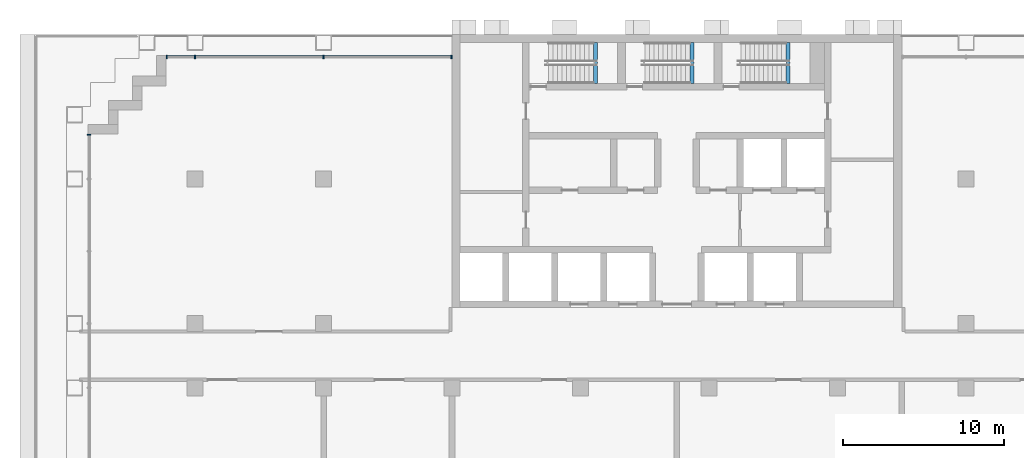
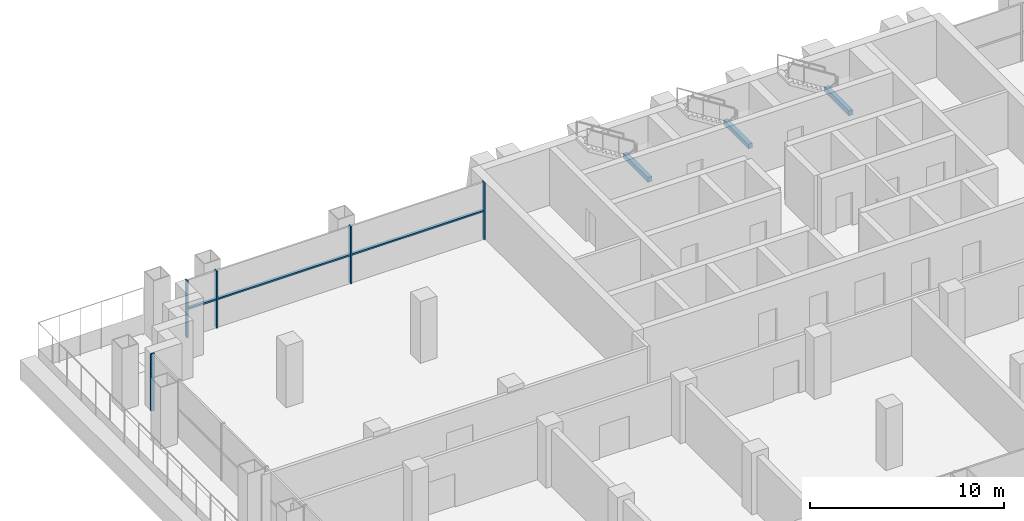
# One storey, part 6 of 16: 8 members, 3 beams, 2 elements without a shape of their own.
"""IFC4 building model written with IfcOpenShell, lengths in metres."""

from ifc_helpers import new_model, si_unit, direction, frame, origin, origin_2d, place, context, subcontext, project, spatial, rectangle, extrude, material, material_profile, profile_set, type_object, element, aggregate, save


model = new_model("IFC4")

# Units and contexts
model_context = context("Model", 3, precision=1e-05, world=origin(), true_north=direction((0.0, 1.0)))
body_context = subcontext(model_context, "Body", "Model", "MODEL_VIEW")
ifc_project = project(units=[si_unit("LENGTHUNIT", "METRE"), si_unit("AREAUNIT", "SQUARE_METRE"), si_unit("VOLUMEUNIT", "CUBIC_METRE"), si_unit("PLANEANGLEUNIT", "RADIAN"), si_unit("MASSUNIT", "GRAM", prefix="KILO")], contexts=[model_context])

# Site, building, storey
site_placement = place(None, origin())
site = spatial("IfcSite", under=ifc_project, at=site_placement, CompositionType="ELEMENT")
building_placement = place(site_placement, origin())
building = spatial("IfcBuilding", under=site, at=building_placement, Name="Vidyagriha Tower", CompositionType="ELEMENT")
storey_placement = place(building_placement, frame((0.0, 0.0, 26.0)))
storey = spatial("IfcBuildingStorey", under=building, at=storey_placement, Name="L06", CompositionType="ELEMENT", Elevation=26.0)

# Curtain wall, members
ifc_material_1 = material(Name="Aluminium and glass curtain wall", Category="aluminium")
curtain_wall_type = type_object("IfcCurtainWallType", Name="Plant louvre wall", PredefinedType="USERDEFINED", material=ifc_material_1)
curtain_wall_1_placement = place(storey_placement, origin())
curtain_wall_1 = element("IfcCurtainWall", 1, at=curtain_wall_1_placement, inside=storey, type_object=curtain_wall_type, Name="CW7 plant louvre wall", ObjectType="STICK GLAZING", PredefinedType="USERDEFINED")
ifc_material_2 = material(Name="Aluminium black anodised", Category="aluminium")
ifc_material_profile_1 = material_profile(ifc_material_2, rectangle(XDim=0.219970703125, YDim=0.080078125, at=origin_2d()), Name="Mullion 80x220 black aluminium")
ifc_profile_set_1 = profile_set([ifc_material_profile_1], Name="Aluminium black anodised")
member_type_1 = type_object("IfcMemberType", Name="Mullion 80x220 black aluminium", PredefinedType="MULLION", material=ifc_profile_set_1)
member_1_placement = place(storey_placement, frame((-14.0400390625, 18.60009765625, 0.0), z_axis=(0.0, 0.0, 1.0), x_axis=(0.0, -1.0, 0.0)))
member_1 = element("IfcMember", 2, at=member_1_placement, type_object=member_type_1, Name="CW7 mullion 1", PredefinedType="MULLION", context=body_context, shape_type="SweptSolid", body=[
    extrude(rectangle(XDim=0.219970703125, YDim=0.080078125, at=origin_2d()), origin(), (0.0, 0.0, 1.0), 3.60009765625),
])
member_2_placement = place(storey_placement, frame((-22.0, 18.60009765625, 0.0), z_axis=(0.0, 0.0, 1.0), x_axis=(0.0, -1.0, 0.0)))
member_2 = element("IfcMember", 3, at=member_2_placement, type_object=member_type_1, Name="CW7 mullion 2", PredefinedType="MULLION", context=body_context, shape_type="SweptSolid", body=[
    extrude(rectangle(XDim=0.219970703125, YDim=0.080078125, at=origin_2d()), origin(), (0.0, 0.0, 1.0), 3.60009765625),
])
member_3_placement = place(storey_placement, frame((-30.0, 18.60009765625, 0.0), z_axis=(0.0, 0.0, 1.0), x_axis=(0.0, -1.0, 0.0)))
member_3 = element("IfcMember", 4, at=member_3_placement, type_object=member_type_1, Name="CW7 mullion 3", PredefinedType="MULLION", context=body_context, shape_type="SweptSolid", body=[
    extrude(rectangle(XDim=0.219970703125, YDim=0.080078125, at=origin_2d()), origin(), (0.0, 0.0, 1.0), 3.60009765625),
])
member_4_placement = place(storey_placement, frame((-31.760009765625, 18.60009765625, 0.0), z_axis=(0.0, 0.0, 1.0), x_axis=(0.0, -1.0, 0.0)))
member_4 = element("IfcMember", 5, at=member_4_placement, type_object=member_type_1, Name="CW7 mullion 4", PredefinedType="MULLION", context=body_context, shape_type="SweptSolid", body=[
    extrude(rectangle(XDim=0.219970703125, YDim=0.080078125, at=origin_2d()), origin(), (0.0, 0.0, 1.0), 3.60009765625),
])

# Curtain wall, member
curtain_wall_2_placement = place(storey_placement, origin())
curtain_wall_2 = element("IfcCurtainWall", 6, at=curtain_wall_2_placement, inside=storey, type_object=curtain_wall_type, Name="CW7 plant louvre wall", ObjectType="STICK GLAZING", PredefinedType="USERDEFINED")
member_5_placement = place(storey_placement, frame((-36.60009765625, 13.760009765625, 0.0)))
member_5 = element("IfcMember", 7, at=member_5_placement, type_object=member_type_1, Name="CW7 mullion 1", PredefinedType="MULLION", context=body_context, shape_type="SweptSolid", body=[
    extrude(rectangle(XDim=0.219970703125, YDim=0.080078125, at=origin_2d()), origin(), (0.0, 0.0, 1.0), 3.60009765625),
])
aggregate(curtain_wall_2, [member_5])

# Beams
ifc_material_3 = material(Name="Concrete C40/50", Category="concrete")
ifc_material_profile_2 = material_profile(ifc_material_3, rectangle(XDim=0.25, YDim=0.300048828125, at=origin_2d()), Name="Stair landing bearing beam 250x300")
ifc_profile_set_2 = profile_set([ifc_material_profile_2], Name="Concrete C40/50")
beam_type = type_object("IfcBeamType", Name="Stair landing bearing beam 250x300", PredefinedType="BEAM", material=ifc_profile_set_2)
for number, where, z_axis, x_axis, name in (
    (8, (-5.074951171875, 16.949951171875, 1.60009765625), (0.0, 1.0, 0.0), (-1.0, 0.0, 0.0), "ST1 landing bearing beam L06"),
    (9, (0.925048828125, 16.949951171875, 1.60009765625), (0.0, 1.0, 0.0), (-1.0, 0.0, 0.0), "ST2 landing bearing beam L06"),
    (10, (6.925048828125, 16.949951171875, 1.60009765625), (0.0, 1.0, 0.0), (-1.0, 0.0, 0.0), "ST3 landing bearing beam L06"),
):
    element("IfcBeam", number, at=place(storey_placement, frame(where, z_axis=z_axis, x_axis=x_axis)), inside=storey, type_object=beam_type, Name=name, PredefinedType="BEAM", context=body_context, shape_type="SweptSolid", body=[
        extrude(rectangle(XDim=0.25, YDim=0.300048828125, at=origin_2d()), origin(), (0.0, 0.0, 1.0), 2.550048828125),
    ])

# Member
ifc_material_4 = material(Name="Aluminium black anodised", Category="aluminium")
ifc_material_profile_3 = material_profile(ifc_material_4, rectangle(XDim=0.159912109375, YDim=0.10009765625, at=origin_2d()), Name="Transom 100x160 black aluminium")
ifc_profile_set_3 = profile_set([ifc_material_profile_3], Name="Aluminium black anodised")
member_type_2 = type_object("IfcMemberType", Name="Transom 100x160 black aluminium", PredefinedType="USERDEFINED", material=ifc_profile_set_3)
member_6_placement = place(storey_placement, frame((-14.080078125, 18.60009765625, 1.800048828125), z_axis=(-1.0, 0.0, 0.0), x_axis=(0.0, -1.0, 0.0)))
member_6 = element("IfcMember", 11, at=member_6_placement, type_object=member_type_2, Name="CW7 transom 1.1", ObjectType="TRANSOM", PredefinedType="USERDEFINED", context=body_context, shape_type="SweptSolid", body=[
    extrude(rectangle(XDim=0.159912109375, YDim=0.10009765625, at=origin_2d()), origin(), (0.0, 0.0, 1.0), 7.8798828125),
])

member_7_placement = place(storey_placement, frame((-22.0400390625, 18.60009765625, 1.800048828125), z_axis=(-1.0, 0.0, 0.0), x_axis=(0.0, -1.0, 0.0)))
member_7 = element("IfcMember", 12, at=member_7_placement, type_object=member_type_2, Name="CW7 transom 2.1", ObjectType="TRANSOM", PredefinedType="USERDEFINED", context=body_context, shape_type="SweptSolid", body=[
    extrude(rectangle(XDim=0.159912109375, YDim=0.10009765625, at=origin_2d()), origin(), (0.0, 0.0, 1.0), 7.919921875),
])

member_8_placement = place(storey_placement, frame((-30.0400390625, 18.60009765625, 1.800048828125), z_axis=(-1.0, 0.0, 0.0), x_axis=(0.0, -1.0, 0.0)))
member_8 = element("IfcMember", 13, at=member_8_placement, type_object=member_type_2, Name="CW7 transom 3.1", ObjectType="TRANSOM", PredefinedType="USERDEFINED", context=body_context, shape_type="SweptSolid", body=[
    extrude(rectangle(XDim=0.159912109375, YDim=0.10009765625, at=origin_2d()), origin(), (0.0, 0.0, 1.0), 1.679931640625),
])

aggregate(curtain_wall_1, [member_1, member_2, member_3, member_4, member_6, member_7, member_8])

save(model, "model.ifc")
